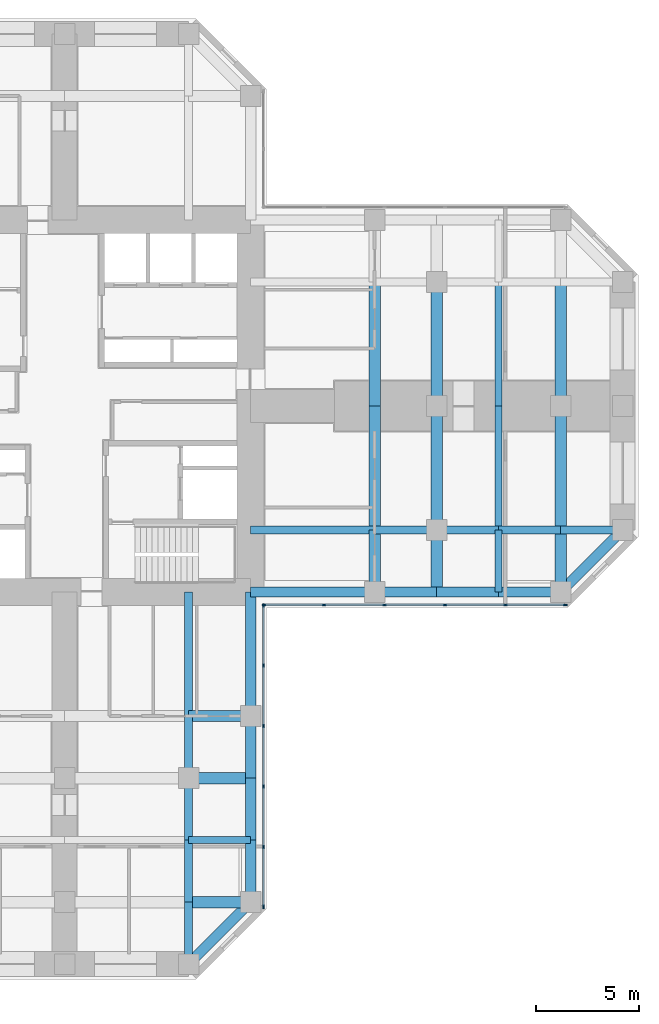
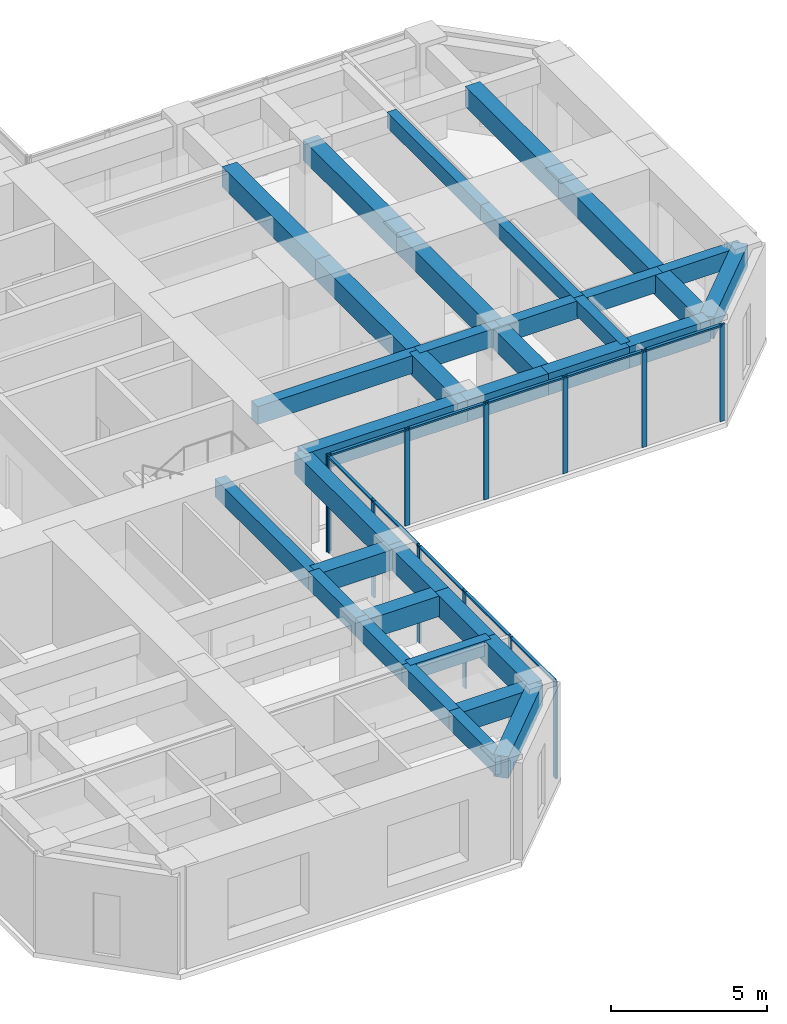
# One storey, part 4 of 13: 36 beams, 22 members, 2 elements without a shape of their own.
"""IFC4 building model written with IfcOpenShell, lengths in metres."""

from ifc_helpers import new_model, si_unit, direction, frame, origin, origin_2d, place, context, subcontext, project, spatial, rectangle, extrude, material, material_profile, profile_set, type_object, element, aggregate, save


model = new_model("IFC4")

# Units and contexts
model_context = context("Model", 3, precision=1e-05, world=origin(), true_north=direction((0.0, 1.0)))
body_context = subcontext(model_context, "Body", "Model", "MODEL_VIEW")
ifc_project = project(units=[si_unit("LENGTHUNIT", "METRE"), si_unit("AREAUNIT", "SQUARE_METRE"), si_unit("VOLUMEUNIT", "CUBIC_METRE"), si_unit("PLANEANGLEUNIT", "RADIAN"), si_unit("MASSUNIT", "GRAM", prefix="KILO")], contexts=[model_context])

# Site, building, storey
site_placement = place(None, origin())
site = spatial("IfcSite", under=ifc_project, at=site_placement, CompositionType="ELEMENT")
building_placement = place(site_placement, origin())
building = spatial("IfcBuilding", under=site, at=building_placement, Name="Torre Cruceta", CompositionType="ELEMENT")
storey_placement = place(building_placement, frame((0.0, 0.0, 156.5)))
storey = spatial("IfcBuildingStorey", under=building, at=storey_placement, Name="L38", CompositionType="ELEMENT", Elevation=156.5)

# Beams
ifc_material_1 = material(Name="Concrete G60 (fck 60 MPa)", Category="concrete")
ifc_material_profile_1 = material_profile(ifc_material_1, rectangle(XDim=0.39990234375, YDim=0.699951171875, at=origin_2d()), Name="RC 400X700")
ifc_profile_set_1 = profile_set([ifc_material_profile_1], Name="Concrete G60 (fck 60 MPa)")
beam_type_1 = type_object("IfcBeamType", Name="COLUMN LINE BEAM RC 400X700", PredefinedType="BEAM", material=ifc_profile_set_1)
beam_1_placement = place(storey_placement, frame((9.0, -6.0, 3.449951171875), z_axis=(1.0, 0.0, 0.0), x_axis=(0.0, 1.0, 0.0)))
element("IfcBeam", 1, at=beam_1_placement, inside=storey, type_object=beam_type_1, Name="LB5 L38 E col- 1", PredefinedType="BEAM", context=body_context, shape_type="SweptSolid", body=[
    extrude(rectangle(XDim=0.39990234375, YDim=0.699951171875, at=origin_2d()), origin(), (0.0, 0.0, 1.0), 6.0),
])
for number, where, z_axis, x_axis, name in (
    (2, (15.0, -6.0, 3.449951171875), (1.0, 0.0, 0.0), (0.0, 1.0, 0.0), "LB5 L38 E col- 2"),
    (3, (18.0, -6.0, 3.449951171875), (1.0, 0.0, 0.0), (0.0, 1.0, 0.0), "LB5 L38 E col- 3"),
    (4, (21.0, -6.0, 3.449951171875), (1.0, 0.0, 0.0), (0.0, 1.0, 0.0), "LB5 L38 E col- 4"),
    (5, (24.0, -6.0, 3.449951171875), (1.0, 0.0, 0.0), (0.0, 1.0, 0.0), "LB5 L38 E col- 5"),
):
    element("IfcBeam", number, at=place(storey_placement, frame(where, z_axis=z_axis, x_axis=x_axis)), inside=storey, type_object=beam_type_1, Name=name, PredefinedType="BEAM", context=body_context, shape_type="SweptSolid", body=[
        extrude(rectangle(XDim=0.39990234375, YDim=0.699951171875, at=origin_2d()), origin(), (0.0, 0.0, 1.0), 3.0),
    ])
beam_2_placement = place(storey_placement, frame((6.0, -9.0, 3.449951171875), z_axis=(0.0, -1.0, 0.0), x_axis=(1.0, 0.0, 0.0)))
element("IfcBeam", 6, at=beam_2_placement, inside=storey, type_object=beam_type_1, Name="LB5 L38 S col+ 1", PredefinedType="BEAM", context=body_context, shape_type="SweptSolid", body=[
    extrude(rectangle(XDim=0.39990234375, YDim=0.699951171875, at=origin_2d()), origin(), (0.0, 0.0, 1.0), 6.0),
])
for number, where, z_axis, x_axis, name in (
    (7, (6.0, -15.0, 3.449951171875), (0.0, -1.0, 0.0), (1.0, 0.0, 0.0), "LB5 L38 S col+ 2"),
    (8, (6.0, -18.0, 3.449951171875), (0.0, -1.0, 0.0), (1.0, 0.0, 0.0), "LB5 L38 S col+ 3"),
    (9, (6.0, -21.0, 3.449951171875), (0.0, -1.0, 0.0), (1.0, 0.0, 0.0), "LB5 L38 S col+ 4"),
    (10, (6.0, -24.0, 3.449951171875), (0.0, -1.0, 0.0), (1.0, 0.0, 0.0), "LB5 L38 S col+ 5"),
):
    element("IfcBeam", number, at=place(storey_placement, frame(where, z_axis=z_axis, x_axis=x_axis)), inside=storey, type_object=beam_type_1, Name=name, PredefinedType="BEAM", context=body_context, shape_type="SweptSolid", body=[
        extrude(rectangle(XDim=0.39990234375, YDim=0.699951171875, at=origin_2d()), origin(), (0.0, 0.0, 1.0), 3.0),
    ])
ifc_material_2 = material(Name="Concrete G60 (fck 60 MPa)", Category="concrete")
ifc_material_profile_2 = material_profile(ifc_material_2, rectangle(XDim=0.550048828125, YDim=0.800048828125, at=origin_2d()), Name="RC 550X800")
ifc_profile_set_2 = profile_set([ifc_material_profile_2], Name="Concrete G60 (fck 60 MPa)")
beam_type_2 = type_object("IfcBeamType", Name="CROSS BEAM RC 550X800", PredefinedType="BEAM", material=ifc_profile_set_2)
beam_3_placement = place(storey_placement, frame((15.0, -9.0, 3.39990234375), z_axis=(0.0, 1.0, 0.0), x_axis=(-1.0, 0.0, 0.0)))
element("IfcBeam", 11, at=beam_3_placement, inside=storey, type_object=beam_type_2, Name="GB5 L38 E cross15 1", PredefinedType="BEAM", context=body_context, shape_type="SweptSolid", body=[
    extrude(rectangle(XDim=0.550048828125, YDim=0.800048828125, at=origin_2d()), origin(), (0.0, 0.0, 1.0), 3.0),
])
for number, where, z_axis, x_axis, name in (
    (12, (15.0, -6.0, 3.39990234375), (0.0, 1.0, 0.0), (-1.0, 0.0, 0.0), "GB5 L38 E cross15 2"),
    (13, (15.0, 0.0, 3.39990234375), (0.0, 1.0, 0.0), (-1.0, 0.0, 0.0), "GB5 L38 E cross15 3"),
):
    element("IfcBeam", number, at=place(storey_placement, frame(where, z_axis=z_axis, x_axis=x_axis)), inside=storey, type_object=beam_type_2, Name=name, PredefinedType="BEAM", context=body_context, shape_type="SweptSolid", body=[
        extrude(rectangle(XDim=0.550048828125, YDim=0.800048828125, at=origin_2d()), origin(), (0.0, 0.0, 1.0), 6.0),
    ])
beam_4_placement = place(storey_placement, frame((18.0, -9.0, 3.39990234375), z_axis=(0.0, 1.0, 0.0), x_axis=(-1.0, 0.0, 0.0)))
element("IfcBeam", 14, at=beam_4_placement, inside=storey, type_object=beam_type_2, Name="GB5 L38 E cross18 1", PredefinedType="BEAM", context=body_context, shape_type="SweptSolid", body=[
    extrude(rectangle(XDim=0.550048828125, YDim=0.800048828125, at=origin_2d()), origin(), (0.0, 0.0, 1.0), 3.0),
])
for number, where, z_axis, x_axis, name in (
    (15, (18.0, -6.0, 3.39990234375), (0.0, 1.0, 0.0), (-1.0, 0.0, 0.0), "GB5 L38 E cross18 2"),
    (16, (18.0, 0.0, 3.39990234375), (0.0, 1.0, 0.0), (-1.0, 0.0, 0.0), "GB5 L38 E cross18 3"),
):
    element("IfcBeam", number, at=place(storey_placement, frame(where, z_axis=z_axis, x_axis=x_axis)), inside=storey, type_object=beam_type_2, Name=name, PredefinedType="BEAM", context=body_context, shape_type="SweptSolid", body=[
        extrude(rectangle(XDim=0.550048828125, YDim=0.800048828125, at=origin_2d()), origin(), (0.0, 0.0, 1.0), 6.0),
    ])
beam_5_placement = place(storey_placement, frame((24.0, -9.0, 3.39990234375), z_axis=(0.0, 1.0, 0.0), x_axis=(-1.0, 0.0, 0.0)))
element("IfcBeam", 17, at=beam_5_placement, inside=storey, type_object=beam_type_2, Name="GB5 L38 E cross24 1", PredefinedType="BEAM", context=body_context, shape_type="SweptSolid", body=[
    extrude(rectangle(XDim=0.550048828125, YDim=0.800048828125, at=origin_2d()), origin(), (0.0, 0.0, 1.0), 3.0),
])
for number, where, z_axis, x_axis, name in (
    (18, (24.0, -6.0, 3.39990234375), (0.0, 1.0, 0.0), (-1.0, 0.0, 0.0), "GB5 L38 E cross24 2"),
    (19, (24.0, 0.0, 3.39990234375), (0.0, 1.0, 0.0), (-1.0, 0.0, 0.0), "GB5 L38 E cross24 3"),
):
    element("IfcBeam", number, at=place(storey_placement, frame(where, z_axis=z_axis, x_axis=x_axis)), inside=storey, type_object=beam_type_2, Name=name, PredefinedType="BEAM", context=body_context, shape_type="SweptSolid", body=[
        extrude(rectangle(XDim=0.550048828125, YDim=0.800048828125, at=origin_2d()), origin(), (0.0, 0.0, 1.0), 6.0),
    ])
for number, where, z_axis, x_axis, name in (
    (20, (6.0, -15.0, 3.39990234375), (1.0, 0.0, 0.0), (0.0, 1.0, 0.0), "GB5 L38 S cross15 4"),
    (21, (6.0, -18.0, 3.39990234375), (1.0, 0.0, 0.0), (0.0, 1.0, 0.0), "GB5 L38 S cross18 4"),
    (22, (6.0, -24.0, 3.39990234375), (1.0, 0.0, 0.0), (0.0, 1.0, 0.0), "GB5 L38 S cross24 4"),
):
    element("IfcBeam", number, at=place(storey_placement, frame(where, z_axis=z_axis, x_axis=x_axis)), inside=storey, type_object=beam_type_2, Name=name, PredefinedType="BEAM", context=body_context, shape_type="SweptSolid", body=[
        extrude(rectangle(XDim=0.550048828125, YDim=0.800048828125, at=origin_2d()), origin(), (0.0, 0.0, 1.0), 3.0),
    ])

# Curtain wall, members
ifc_material_3 = material(Name="Aluminium unitised curtain wall", Category="aluminium")
curtain_wall_type = type_object("IfcCurtainWallType", Name="CURTAIN WALL CW-B OFFICE MID RISE", PredefinedType="USERDEFINED", material=ifc_material_3)
curtain_wall_1_placement = place(storey_placement, origin())
curtain_wall_1 = element("IfcCurtainWall", 23, at=curtain_wall_1_placement, inside=storey, type_object=curtain_wall_type, Name="CW-B L38 E side 00", ObjectType="UNITISED", PredefinedType="USERDEFINED")
ifc_material_4 = material(Name="Aluminium mullion", Category="aluminium")
ifc_material_profile_3 = material_profile(ifc_material_4, rectangle(XDim=0.06494140625, YDim=0.179931640625, at=origin_2d()), Name="AL 65X180")
ifc_profile_set_3 = profile_set([ifc_material_profile_3], Name="Aluminium mullion")
member_type_1 = type_object("IfcMemberType", Name="CW-B MULLION 65X180", PredefinedType="MULLION", material=ifc_profile_set_3)
member_1_placement = place(storey_placement, frame((9.652587890625, -9.6201171875, 0.0), z_axis=(0.0, 0.0, 1.0), x_axis=(0.0, 1.0, 0.0)))
member_1 = element("IfcMember", 24, at=member_1_placement, type_object=member_type_1, Name="CW-B mullion 1", PredefinedType="MULLION", context=body_context, shape_type="SweptSolid", body=[
    extrude(rectangle(XDim=0.06494140625, YDim=0.179931640625, at=origin_2d()), origin(), (0.0, 0.0, 1.0), 3.800048828125),
])
member_2_placement = place(storey_placement, frame((12.54736328125, -9.6201171875, 0.0), z_axis=(0.0, 0.0, 1.0), x_axis=(0.0, 1.0, 0.0)))
member_2 = element("IfcMember", 25, at=member_2_placement, type_object=member_type_1, Name="CW-B mullion 2", PredefinedType="MULLION", context=body_context, shape_type="SweptSolid", body=[
    extrude(rectangle(XDim=0.06494140625, YDim=0.179931640625, at=origin_2d()), origin(), (0.0, 0.0, 1.0), 3.800048828125),
])
member_3_placement = place(storey_placement, frame((15.474609375, -9.6201171875, 0.0), z_axis=(0.0, 0.0, 1.0), x_axis=(0.0, 1.0, 0.0)))
member_3 = element("IfcMember", 26, at=member_3_placement, type_object=member_type_1, Name="CW-B mullion 3", PredefinedType="MULLION", context=body_context, shape_type="SweptSolid", body=[
    extrude(rectangle(XDim=0.06494140625, YDim=0.179931640625, at=origin_2d()), origin(), (0.0, 0.0, 1.0), 3.800048828125),
])
member_4_placement = place(storey_placement, frame((18.402099609375, -9.6201171875, 0.0), z_axis=(0.0, 0.0, 1.0), x_axis=(0.0, 1.0, 0.0)))
member_4 = element("IfcMember", 27, at=member_4_placement, type_object=member_type_1, Name="CW-B mullion 4", PredefinedType="MULLION", context=body_context, shape_type="SweptSolid", body=[
    extrude(rectangle(XDim=0.06494140625, YDim=0.179931640625, at=origin_2d()), origin(), (0.0, 0.0, 1.0), 3.800048828125),
])
member_5_placement = place(storey_placement, frame((21.329345703125, -9.6201171875, 0.0), z_axis=(0.0, 0.0, 1.0), x_axis=(0.0, 1.0, 0.0)))
member_5 = element("IfcMember", 28, at=member_5_placement, type_object=member_type_1, Name="CW-B mullion 5", PredefinedType="MULLION", context=body_context, shape_type="SweptSolid", body=[
    extrude(rectangle(XDim=0.06494140625, YDim=0.179931640625, at=origin_2d()), origin(), (0.0, 0.0, 1.0), 3.800048828125),
])
member_6_placement = place(storey_placement, frame((24.224365234375, -9.6201171875, 0.0), z_axis=(0.0, 0.0, 1.0), x_axis=(0.0, 1.0, 0.0)))
member_6 = element("IfcMember", 29, at=member_6_placement, type_object=member_type_1, Name="CW-B mullion 6", PredefinedType="MULLION", context=body_context, shape_type="SweptSolid", body=[
    extrude(rectangle(XDim=0.06494140625, YDim=0.179931640625, at=origin_2d()), origin(), (0.0, 0.0, 1.0), 3.800048828125),
])

curtain_wall_2_placement = place(storey_placement, origin())
curtain_wall_2 = element("IfcCurtainWall", 30, at=curtain_wall_2_placement, inside=storey, type_object=curtain_wall_type, Name="CW-B L38 S side 19", ObjectType="UNITISED", PredefinedType="USERDEFINED")
member_7_placement = place(storey_placement, frame((9.6201171875, -24.224365234375, 0.0), z_axis=(0.0, 0.0, 1.0), x_axis=(-1.0, 0.0, 0.0)))
member_7 = element("IfcMember", 31, at=member_7_placement, type_object=member_type_1, Name="CW-B mullion 1", PredefinedType="MULLION", context=body_context, shape_type="SweptSolid", body=[
    extrude(rectangle(XDim=0.06494140625, YDim=0.179931640625, at=origin_2d()), origin(), (0.0, 0.0, 1.0), 3.800048828125),
])
member_8_placement = place(storey_placement, frame((9.6201171875, -21.329345703125, 0.0), z_axis=(0.0, 0.0, 1.0), x_axis=(-1.0, 0.0, 0.0)))
member_8 = element("IfcMember", 32, at=member_8_placement, type_object=member_type_1, Name="CW-B mullion 2", PredefinedType="MULLION", context=body_context, shape_type="SweptSolid", body=[
    extrude(rectangle(XDim=0.06494140625, YDim=0.179931640625, at=origin_2d()), origin(), (0.0, 0.0, 1.0), 3.800048828125),
])
member_9_placement = place(storey_placement, frame((9.6201171875, -18.402099609375, 0.0), z_axis=(0.0, 0.0, 1.0), x_axis=(-1.0, 0.0, 0.0)))
member_9 = element("IfcMember", 33, at=member_9_placement, type_object=member_type_1, Name="CW-B mullion 3", PredefinedType="MULLION", context=body_context, shape_type="SweptSolid", body=[
    extrude(rectangle(XDim=0.06494140625, YDim=0.179931640625, at=origin_2d()), origin(), (0.0, 0.0, 1.0), 3.800048828125),
])
member_10_placement = place(storey_placement, frame((9.6201171875, -15.474609375, 0.0), z_axis=(0.0, 0.0, 1.0), x_axis=(-1.0, 0.0, 0.0)))
member_10 = element("IfcMember", 34, at=member_10_placement, type_object=member_type_1, Name="CW-B mullion 4", PredefinedType="MULLION", context=body_context, shape_type="SweptSolid", body=[
    extrude(rectangle(XDim=0.06494140625, YDim=0.179931640625, at=origin_2d()), origin(), (0.0, 0.0, 1.0), 3.800048828125),
])
member_11_placement = place(storey_placement, frame((9.6201171875, -12.54736328125, 0.0), z_axis=(0.0, 0.0, 1.0), x_axis=(-1.0, 0.0, 0.0)))
member_11 = element("IfcMember", 35, at=member_11_placement, type_object=member_type_1, Name="CW-B mullion 5", PredefinedType="MULLION", context=body_context, shape_type="SweptSolid", body=[
    extrude(rectangle(XDim=0.06494140625, YDim=0.179931640625, at=origin_2d()), origin(), (0.0, 0.0, 1.0), 3.800048828125),
])
member_12_placement = place(storey_placement, frame((9.6201171875, -9.652587890625, 0.0), z_axis=(0.0, 0.0, 1.0), x_axis=(-1.0, 0.0, 0.0)))
member_12 = element("IfcMember", 36, at=member_12_placement, type_object=member_type_1, Name="CW-B mullion 6", PredefinedType="MULLION", context=body_context, shape_type="SweptSolid", body=[
    extrude(rectangle(XDim=0.06494140625, YDim=0.179931640625, at=origin_2d()), origin(), (0.0, 0.0, 1.0), 3.800048828125),
])

# Member
ifc_material_5 = material(Name="Aluminium transom", Category="aluminium")
ifc_material_profile_4 = material_profile(ifc_material_5, rectangle(XDim=0.110107421875, YDim=0.06494140625, at=origin_2d()), Name="AL 110X65")
ifc_profile_set_4 = profile_set([ifc_material_profile_4], Name="Aluminium transom")
member_type_2 = type_object("IfcMemberType", Name="CW-B TRANSOM 65X110", PredefinedType="USERDEFINED", material=ifc_profile_set_4)
member_13_placement = place(storey_placement, frame((9.68505859375, -9.6201171875, 3.767578125), z_axis=(1.0, 0.0, 0.0), x_axis=(0.0, 1.0, 0.0)))
member_13 = element("IfcMember", 37, at=member_13_placement, type_object=member_type_2, Name="CW-B transom 1", ObjectType="TRANSOM", PredefinedType="USERDEFINED", context=body_context, shape_type="SweptSolid", body=[
    extrude(rectangle(XDim=0.110107421875, YDim=0.06494140625, at=origin_2d()), origin(), (0.0, 0.0, 1.0), 2.829833984375),
])

member_14_placement = place(storey_placement, frame((12.579833984375, -9.6201171875, 3.767578125), z_axis=(1.0, 0.0, 0.0), x_axis=(0.0, 1.0, 0.0)))
member_14 = element("IfcMember", 38, at=member_14_placement, type_object=member_type_2, Name="CW-B transom 2", ObjectType="TRANSOM", PredefinedType="USERDEFINED", context=body_context, shape_type="SweptSolid", body=[
    extrude(rectangle(XDim=0.110107421875, YDim=0.06494140625, at=origin_2d()), origin(), (0.0, 0.0, 1.0), 2.8623046875),
])

member_15_placement = place(storey_placement, frame((15.50732421875, -9.6201171875, 3.767578125), z_axis=(1.0, 0.0, 0.0), x_axis=(0.0, 1.0, 0.0)))
member_15 = element("IfcMember", 39, at=member_15_placement, type_object=member_type_2, Name="CW-B transom 3", ObjectType="TRANSOM", PredefinedType="USERDEFINED", context=body_context, shape_type="SweptSolid", body=[
    extrude(rectangle(XDim=0.110107421875, YDim=0.06494140625, at=origin_2d()), origin(), (0.0, 0.0, 1.0), 2.8623046875),
])

member_16_placement = place(storey_placement, frame((18.4345703125, -9.6201171875, 3.767578125), z_axis=(1.0, 0.0, 0.0), x_axis=(0.0, 1.0, 0.0)))
member_16 = element("IfcMember", 40, at=member_16_placement, type_object=member_type_2, Name="CW-B transom 4", ObjectType="TRANSOM", PredefinedType="USERDEFINED", context=body_context, shape_type="SweptSolid", body=[
    extrude(rectangle(XDim=0.110107421875, YDim=0.06494140625, at=origin_2d()), origin(), (0.0, 0.0, 1.0), 2.8623046875),
])

member_17_placement = place(storey_placement, frame((21.362060546875, -9.6201171875, 3.767578125), z_axis=(1.0, 0.0, 0.0), x_axis=(0.0, 1.0, 0.0)))
member_17 = element("IfcMember", 41, at=member_17_placement, type_object=member_type_2, Name="CW-B transom 5", ObjectType="TRANSOM", PredefinedType="USERDEFINED", context=body_context, shape_type="SweptSolid", body=[
    extrude(rectangle(XDim=0.110107421875, YDim=0.06494140625, at=origin_2d()), origin(), (0.0, 0.0, 1.0), 2.829833984375),
])

aggregate(curtain_wall_1, [member_1, member_2, member_3, member_4, member_5, member_6, member_13, member_14, member_15, member_16, member_17])

member_18_placement = place(storey_placement, frame((9.6201171875, -24.19189453125, 3.767578125), z_axis=(0.0, 1.0, 0.0), x_axis=(-1.0, 0.0, 0.0)))
member_18 = element("IfcMember", 42, at=member_18_placement, type_object=member_type_2, Name="CW-B transom 1", ObjectType="TRANSOM", PredefinedType="USERDEFINED", context=body_context, shape_type="SweptSolid", body=[
    extrude(rectangle(XDim=0.110107421875, YDim=0.06494140625, at=origin_2d()), origin(), (0.0, 0.0, 1.0), 2.829833984375),
])

member_19_placement = place(storey_placement, frame((9.6201171875, -21.296875, 3.767578125), z_axis=(0.0, 1.0, 0.0), x_axis=(-1.0, 0.0, 0.0)))
member_19 = element("IfcMember", 43, at=member_19_placement, type_object=member_type_2, Name="CW-B transom 2", ObjectType="TRANSOM", PredefinedType="USERDEFINED", context=body_context, shape_type="SweptSolid", body=[
    extrude(rectangle(XDim=0.110107421875, YDim=0.06494140625, at=origin_2d()), origin(), (0.0, 0.0, 1.0), 2.8623046875),
])

member_20_placement = place(storey_placement, frame((9.6201171875, -18.36962890625, 3.767578125), z_axis=(0.0, 1.0, 0.0), x_axis=(-1.0, 0.0, 0.0)))
member_20 = element("IfcMember", 44, at=member_20_placement, type_object=member_type_2, Name="CW-B transom 3", ObjectType="TRANSOM", PredefinedType="USERDEFINED", context=body_context, shape_type="SweptSolid", body=[
    extrude(rectangle(XDim=0.110107421875, YDim=0.06494140625, at=origin_2d()), origin(), (0.0, 0.0, 1.0), 2.8623046875),
])

member_21_placement = place(storey_placement, frame((9.6201171875, -15.442138671875, 3.767578125), z_axis=(0.0, 1.0, 0.0), x_axis=(-1.0, 0.0, 0.0)))
member_21 = element("IfcMember", 45, at=member_21_placement, type_object=member_type_2, Name="CW-B transom 4", ObjectType="TRANSOM", PredefinedType="USERDEFINED", context=body_context, shape_type="SweptSolid", body=[
    extrude(rectangle(XDim=0.110107421875, YDim=0.06494140625, at=origin_2d()), origin(), (0.0, 0.0, 1.0), 2.8623046875),
])

member_22_placement = place(storey_placement, frame((9.6201171875, -12.514892578125, 3.767578125), z_axis=(0.0, 1.0, 0.0), x_axis=(-1.0, 0.0, 0.0)))
member_22 = element("IfcMember", 46, at=member_22_placement, type_object=member_type_2, Name="CW-B transom 5", ObjectType="TRANSOM", PredefinedType="USERDEFINED", context=body_context, shape_type="SweptSolid", body=[
    extrude(rectangle(XDim=0.110107421875, YDim=0.06494140625, at=origin_2d()), origin(), (0.0, 0.0, 1.0), 2.829833984375),
])

aggregate(curtain_wall_2, [member_7, member_8, member_9, member_10, member_11, member_12, member_18, member_19, member_20, member_21, member_22])

# Beams
ifc_material_6 = material(Name="Concrete G60 (fck 60 MPa)", Category="concrete")
ifc_material_profile_5 = material_profile(ifc_material_6, rectangle(XDim=0.35009765625, YDim=0.60009765625, at=origin_2d()), Name="RC 350X600")
ifc_profile_set_5 = profile_set([ifc_material_profile_5], Name="Concrete G60 (fck 60 MPa)")
beam_type_3 = type_object("IfcBeamType", Name="SECONDARY BEAM RC 350X600", PredefinedType="JOIST", material=ifc_profile_set_5)
beam_6_placement = place(storey_placement, frame((21.0, -9.0, 3.5), z_axis=(0.0, 1.0, 0.0), x_axis=(-1.0, 0.0, 0.0)))
element("IfcBeam", 47, at=beam_6_placement, inside=storey, type_object=beam_type_3, Name="JB5 L38 E sec21 1", PredefinedType="JOIST", context=body_context, shape_type="SweptSolid", body=[
    extrude(rectangle(XDim=0.35009765625, YDim=0.60009765625, at=origin_2d()), origin(), (0.0, 0.0, 1.0), 3.0),
])
for number, where, z_axis, x_axis, name in (
    (48, (21.0, -6.0, 3.5), (0.0, 1.0, 0.0), (-1.0, 0.0, 0.0), "JB5 L38 E sec21 2"),
    (49, (21.0, 0.0, 3.5), (0.0, 1.0, 0.0), (-1.0, 0.0, 0.0), "JB5 L38 E sec21 3"),
):
    element("IfcBeam", number, at=place(storey_placement, frame(where, z_axis=z_axis, x_axis=x_axis)), inside=storey, type_object=beam_type_3, Name=name, PredefinedType="JOIST", context=body_context, shape_type="SweptSolid", body=[
        extrude(rectangle(XDim=0.35009765625, YDim=0.60009765625, at=origin_2d()), origin(), (0.0, 0.0, 1.0), 6.0),
    ])
beam_7_placement = place(storey_placement, frame((6.0, -21.0, 3.5), z_axis=(1.0, 0.0, 0.0), x_axis=(0.0, 1.0, 0.0)))
element("IfcBeam", 50, at=beam_7_placement, inside=storey, type_object=beam_type_3, Name="JB5 L38 S sec21 4", PredefinedType="JOIST", context=body_context, shape_type="SweptSolid", body=[
    extrude(rectangle(XDim=0.35009765625, YDim=0.60009765625, at=origin_2d()), origin(), (0.0, 0.0, 1.0), 3.0),
])
ifc_material_7 = material(Name="Concrete G60 (fck 60 MPa)", Category="concrete")
ifc_material_profile_6 = material_profile(ifc_material_7, rectangle(XDim=0.5, YDim=0.85009765625, at=origin_2d()), Name="RC 500X850")
ifc_profile_set_6 = profile_set([ifc_material_profile_6], Name="Concrete G60 (fck 60 MPa)")
beam_type_4 = type_object("IfcBeamType", Name="SPANDREL BEAM RC 500X850", PredefinedType="SPANDREL", material=ifc_profile_set_6)
beam_8_placement = place(storey_placement, frame((9.0, -9.0, 3.375), z_axis=(1.0, 0.0, 0.0), x_axis=(0.0, 1.0, 0.0)))
element("IfcBeam", 51, at=beam_8_placement, inside=storey, type_object=beam_type_4, Name="SB5 L38 E side- 1", PredefinedType="SPANDREL", context=body_context, shape_type="SweptSolid", body=[
    extrude(rectangle(XDim=0.5, YDim=0.85009765625, at=origin_2d()), origin(), (0.0, 0.0, 1.0), 6.0),
])
for number, where, z_axis, x_axis, name in (
    (52, (15.0, -9.0, 3.375), (1.0, 0.0, 0.0), (0.0, 1.0, 0.0), "SB5 L38 E side- 2"),
    (53, (18.0, -9.0, 3.375), (1.0, 0.0, 0.0), (0.0, 1.0, 0.0), "SB5 L38 E side- 3"),
    (54, (21.0, -9.0, 3.375), (1.0, 0.0, 0.0), (0.0, 1.0, 0.0), "SB5 L38 E side- 4"),
):
    element("IfcBeam", number, at=place(storey_placement, frame(where, z_axis=z_axis, x_axis=x_axis)), inside=storey, type_object=beam_type_4, Name=name, PredefinedType="SPANDREL", context=body_context, shape_type="SweptSolid", body=[
        extrude(rectangle(XDim=0.5, YDim=0.85009765625, at=origin_2d()), origin(), (0.0, 0.0, 1.0), 3.0),
    ])
beam_9_placement = place(storey_placement, frame((24.0, -9.0, 3.375), z_axis=(0.707106781187, 0.707106781187, 0.0), x_axis=(-0.707106781187, 0.707106781187, 0.0)))
element("IfcBeam", 55, at=beam_9_placement, inside=storey, type_object=beam_type_4, Name="SB5 L38 E side- 5", PredefinedType="SPANDREL", context=body_context, shape_type="SweptSolid", body=[
    extrude(rectangle(XDim=0.5, YDim=0.85009765625, at=origin_2d()), origin(), (0.0, 0.0, 1.0), 4.24267578125),
])
beam_10_placement = place(storey_placement, frame((9.0, -9.0, 3.375), z_axis=(0.0, -1.0, 0.0), x_axis=(1.0, 0.0, 0.0)))
element("IfcBeam", 56, at=beam_10_placement, inside=storey, type_object=beam_type_4, Name="SB5 L38 S side+ 1", PredefinedType="SPANDREL", context=body_context, shape_type="SweptSolid", body=[
    extrude(rectangle(XDim=0.5, YDim=0.85009765625, at=origin_2d()), origin(), (0.0, 0.0, 1.0), 6.0),
])
for number, where, z_axis, x_axis, name in (
    (57, (9.0, -15.0, 3.375), (0.0, -1.0, 0.0), (1.0, 0.0, 0.0), "SB5 L38 S side+ 2"),
    (58, (9.0, -18.0, 3.375), (0.0, -1.0, 0.0), (1.0, 0.0, 0.0), "SB5 L38 S side+ 3"),
    (59, (9.0, -21.0, 3.375), (0.0, -1.0, 0.0), (1.0, 0.0, 0.0), "SB5 L38 S side+ 4"),
):
    element("IfcBeam", number, at=place(storey_placement, frame(where, z_axis=z_axis, x_axis=x_axis)), inside=storey, type_object=beam_type_4, Name=name, PredefinedType="SPANDREL", context=body_context, shape_type="SweptSolid", body=[
        extrude(rectangle(XDim=0.5, YDim=0.85009765625, at=origin_2d()), origin(), (0.0, 0.0, 1.0), 3.0),
    ])
beam_11_placement = place(storey_placement, frame((9.0, -24.0, 3.375), z_axis=(-0.707106781187, -0.707106781187, 0.0), x_axis=(0.707106781187, -0.707106781187, 0.0)))
element("IfcBeam", 60, at=beam_11_placement, inside=storey, type_object=beam_type_4, Name="SB5 L38 S side+ 5", PredefinedType="SPANDREL", context=body_context, shape_type="SweptSolid", body=[
    extrude(rectangle(XDim=0.5, YDim=0.85009765625, at=origin_2d()), origin(), (0.0, 0.0, 1.0), 4.24267578125),
])

save(model, "model.ifc")
